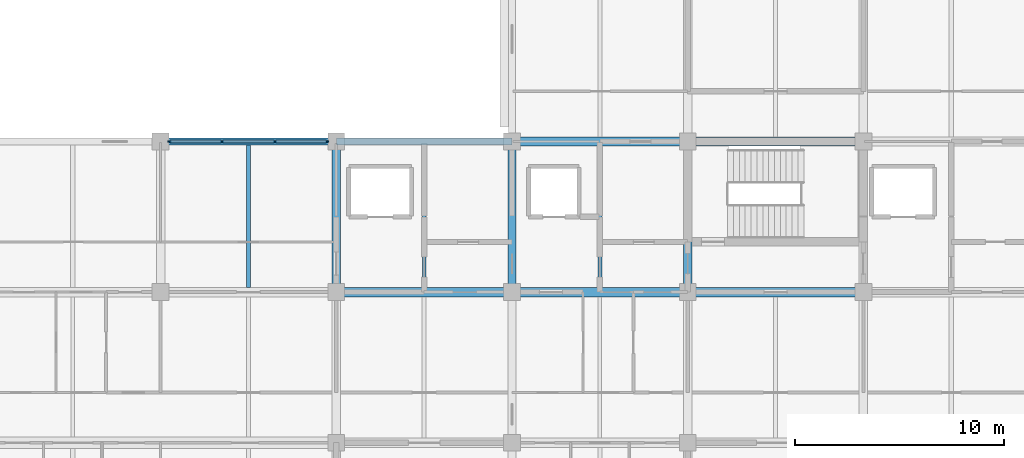
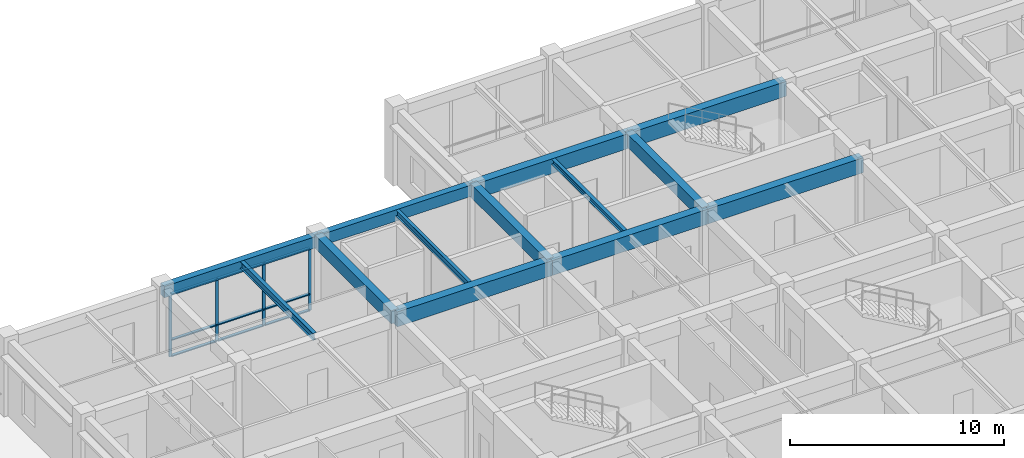
# One storey, part 9 of 40: 13 beams, 13 members, 1 element without a shape of its own.
"""IFC4 building model written with IfcOpenShell, lengths in metres."""

from ifc_helpers import new_model, si_unit, direction, frame, origin, origin_2d, place, context, subcontext, project, spatial, rectangle, i_section, extrude, material, layer, layer_set, material_profile, profile_set, type_object, element, aggregate, save


model = new_model("IFC4")

# Units and contexts
model_context = context("Model", 3, precision=1e-05, world=origin(), true_north=direction((0.0, 1.0)))
body_context = subcontext(model_context, "Body", "Model", "MODEL_VIEW")
ifc_project = project(units=[si_unit("LENGTHUNIT", "METRE"), si_unit("AREAUNIT", "SQUARE_METRE"), si_unit("VOLUMEUNIT", "CUBIC_METRE"), si_unit("PLANEANGLEUNIT", "RADIAN"), si_unit("MASSUNIT", "GRAM", prefix="KILO")], contexts=[model_context])

# Site, building, storey
site_placement = place(None, origin())
site = spatial("IfcSite", under=ifc_project, at=site_placement, CompositionType="ELEMENT")
building_placement = place(site_placement, origin())
building = spatial("IfcBuilding", under=site, at=building_placement, Name="Chengyuan Square Courthouse", CompositionType="ELEMENT")
storey_placement = place(building_placement, frame((0.0, 0.0, 21.60009765625)))
storey = spatial("IfcBuildingStorey", under=building, at=storey_placement, Name="L05", CompositionType="ELEMENT", Elevation=21.60009765625)

# Beams
ifc_material_1 = material(Name="Concrete C40", Category="concrete")
ifc_material_profile_1 = material_profile(ifc_material_1, rectangle(XDim=0.449951171875, YDim=0.85009765625, at=origin_2d()), Name="RC-BM-450x850")
ifc_profile_set_1 = profile_set([ifc_material_profile_1], Name="Concrete C40")
beam_type_1 = type_object("IfcBeamType", Name="BM-01", PredefinedType="USERDEFINED", material=ifc_profile_set_1)
beam_1_placement = place(storey_placement, frame((42.0, 100.800048828125, 3.81494140625), z_axis=(1.0, 0.0, 0.0), x_axis=(0.0, 1.0, 0.0)))
element("IfcBeam", 1, at=beam_1_placement, inside=storey, type_object=beam_type_1, Name="Girder BM-L05-3235", ObjectType="GIRDER", PredefinedType="USERDEFINED", context=body_context, shape_type="SweptSolid", body=[
    extrude(rectangle(XDim=0.449951171875, YDim=0.85009765625, at=origin_2d()), origin(), (0.0, 0.0, 1.0), 8.39990234375),
])
beam_2_placement = place(storey_placement, frame((50.39990234375, 100.800048828125, 3.81494140625), z_axis=(1.0, 0.0, 0.0), x_axis=(0.0, 1.0, 0.0)))
element("IfcBeam", 2, at=beam_2_placement, inside=storey, type_object=beam_type_1, Name="Girder BM-L05-3236", ObjectType="GIRDER", PredefinedType="USERDEFINED", context=body_context, shape_type="SweptSolid", body=[
    extrude(rectangle(XDim=0.449951171875, YDim=0.85009765625, at=origin_2d()), origin(), (0.0, 0.0, 1.0), 8.400146484375),
])
beam_3_placement = place(storey_placement, frame((58.800048828125, 100.800048828125, 3.81494140625), z_axis=(1.0, 0.0, 0.0), x_axis=(0.0, 1.0, 0.0)))
element("IfcBeam", 3, at=beam_3_placement, inside=storey, type_object=beam_type_1, Name="Girder BM-L05-3237", ObjectType="GIRDER", PredefinedType="USERDEFINED", context=body_context, shape_type="SweptSolid", body=[
    extrude(rectangle(XDim=0.449951171875, YDim=0.85009765625, at=origin_2d()), origin(), (0.0, 0.0, 1.0), 8.39990234375),
])
beam_4_placement = place(storey_placement, frame((50.39990234375, 108.0, 3.81494140625), z_axis=(1.0, 0.0, 0.0), x_axis=(0.0, 1.0, 0.0)))
element("IfcBeam", 4, at=beam_4_placement, inside=storey, type_object=beam_type_1, Name="Girder BM-L05-3250", ObjectType="GIRDER", PredefinedType="USERDEFINED", context=body_context, shape_type="SweptSolid", body=[
    extrude(rectangle(XDim=0.449951171875, YDim=0.85009765625, at=origin_2d()), origin(), (0.0, 0.0, 1.0), 8.400146484375),
])
beam_5_placement = place(storey_placement, frame((58.800048828125, 108.0, 3.81494140625), z_axis=(1.0, 0.0, 0.0), x_axis=(0.0, 1.0, 0.0)))
element("IfcBeam", 5, at=beam_5_placement, inside=storey, type_object=beam_type_1, Name="Girder BM-L05-3251", ObjectType="GIRDER", PredefinedType="USERDEFINED", context=body_context, shape_type="SweptSolid", body=[
    extrude(rectangle(XDim=0.449951171875, YDim=0.85009765625, at=origin_2d()), origin(), (0.0, 0.0, 1.0), 8.39990234375),
])
ifc_material_profile_2 = material_profile(ifc_material_1, rectangle(XDim=0.39990234375, YDim=0.75, at=origin_2d()), Name="RC-BM-400x750")
ifc_profile_set_2 = profile_set([ifc_material_profile_2], Name="Concrete C40")
beam_type_2 = type_object("IfcBeamType", Name="BM-02", PredefinedType="USERDEFINED", material=ifc_profile_set_2)
for number, where, z_axis, x_axis, name in (
    (6, (42.0, 100.800048828125, 3.864990234375), (0.0, 1.0, 0.0), (-1.0, 0.0, 0.0), "Girder BM-L05-3277"),
    (7, (50.39990234375, 100.800048828125, 3.864990234375), (0.0, 1.0, 0.0), (-1.0, 0.0, 0.0), "Girder BM-L05-3281"),
    (8, (58.800048828125, 100.800048828125, 3.864990234375), (0.0, 1.0, 0.0), (-1.0, 0.0, 0.0), "Girder BM-L05-3286"),
):
    element("IfcBeam", number, at=place(storey_placement, frame(where, z_axis=z_axis, x_axis=x_axis)), inside=storey, type_object=beam_type_2, Name=name, ObjectType="GIRDER", PredefinedType="USERDEFINED", context=body_context, shape_type="SweptSolid", body=[
        extrude(rectangle(XDim=0.39990234375, YDim=0.75, at=origin_2d()), origin(), (0.0, 0.0, 1.0), 7.199951171875),
    ])
ifc_material_profile_3 = material_profile(ifc_material_1, rectangle(XDim=0.35009765625, YDim=0.64990234375, at=origin_2d()), Name="RC-BM-350x650")
ifc_profile_set_3 = profile_set([ifc_material_profile_3], Name="Concrete C40")
beam_type_3 = type_object("IfcBeamType", Name="BM-03", PredefinedType="SPANDREL", material=ifc_profile_set_3)
for number, where, z_axis, x_axis, name in (
    (9, (33.60009765625, 108.0, 3.914794921875), (1.0, 0.0, 0.0), (0.0, 1.0, 0.0), "Girder BM-L05-3248"),
    (10, (42.0, 108.0, 3.914794921875), (1.0, 0.0, 0.0), (0.0, 1.0, 0.0), "Girder BM-L05-3249"),
):
    element("IfcBeam", number, at=place(storey_placement, frame(where, z_axis=z_axis, x_axis=x_axis)), inside=storey, type_object=beam_type_3, Name=name, PredefinedType="SPANDREL", context=body_context, shape_type="SweptSolid", body=[
        extrude(rectangle(XDim=0.35009765625, YDim=0.64990234375, at=origin_2d()), origin(), (0.0, 0.0, 1.0), 8.39990234375),
    ])
ifc_material_2 = material(Name="Steel Q355B", Category="steel")
ifc_material_profile_4 = material_profile(ifc_material_2, i_section(OverallWidth=0.199951171875, OverallDepth=0.39990234375, WebThickness=0.008056640625, FlangeThickness=0.012939453125, at=origin_2d()), Name="HN 400x200x8x13")
ifc_profile_set_4 = profile_set([ifc_material_profile_4], Name="Steel Q355B")
beam_type_4 = type_object("IfcBeamType", Name="BM-07", PredefinedType="BEAM", material=ifc_profile_set_4)
beam_6_placement = place(storey_placement, frame((37.800048828125, 101.02490234375, 4.039794921875), z_axis=(0.0, 1.0, 0.0), x_axis=(-1.0, 0.0, 0.0)))
element("IfcBeam", 11, at=beam_6_placement, inside=storey, type_object=beam_type_4, Name="Secondary Floor Beam SBM-L05-3339", PredefinedType="BEAM", context=body_context, shape_type="SweptSolid", body=[
    extrude(i_section(OverallWidth=0.199951171875, OverallDepth=0.39990234375, WebThickness=0.008056640625, FlangeThickness=0.012939453125, at=origin_2d()), origin(), (0.0, 0.0, 1.0), 6.800048828125),
])
ifc_material_profile_5 = material_profile(ifc_material_2, i_section(OverallWidth=0.175048828125, OverallDepth=0.35009765625, WebThickness=0.007080078125, FlangeThickness=0.010986328125, at=origin_2d()), Name="HN 350x175x7x11")
ifc_profile_set_5 = profile_set([ifc_material_profile_5], Name="Steel Q355B")
beam_type_5 = type_object("IfcBeamType", Name="BM-08", PredefinedType="BEAM", material=ifc_profile_set_5)
beam_7_placement = place(storey_placement, frame((46.199951171875, 101.02490234375, 4.06494140625), z_axis=(0.0, 1.0, 0.0), x_axis=(-1.0, 0.0, 0.0)))
element("IfcBeam", 12, at=beam_7_placement, inside=storey, type_object=beam_type_5, Name="Secondary Floor Beam SBM-L05-3342", PredefinedType="BEAM", context=body_context, shape_type="SweptSolid", body=[
    extrude(i_section(OverallWidth=0.175048828125, OverallDepth=0.35009765625, WebThickness=0.007080078125, FlangeThickness=0.010986328125, at=origin_2d()), origin(), (0.0, 0.0, 1.0), 6.800048828125),
])
ifc_material_profile_6 = material_profile(ifc_material_2, i_section(OverallWidth=0.199951171875, OverallDepth=0.300048828125, WebThickness=0.008056640625, FlangeThickness=0.011962890625, at=origin_2d()), Name="HM 300x200x8x12")
ifc_profile_set_6 = profile_set([ifc_material_profile_6], Name="Steel Q355B")
beam_type_6 = type_object("IfcBeamType", Name="BM-09", PredefinedType="BEAM", material=ifc_profile_set_6)
beam_8_placement = place(storey_placement, frame((54.60009765625, 101.02490234375, 4.08984375), z_axis=(0.0, 1.0, 0.0), x_axis=(-1.0, 0.0, 0.0)))
element("IfcBeam", 13, at=beam_8_placement, inside=storey, type_object=beam_type_6, Name="Secondary Floor Beam SBM-L05-3346", PredefinedType="BEAM", context=body_context, shape_type="SweptSolid", body=[
    extrude(i_section(OverallWidth=0.199951171875, OverallDepth=0.300048828125, WebThickness=0.008056640625, FlangeThickness=0.011962890625, at=origin_2d()), origin(), (0.0, 0.0, 1.0), 6.75),
])

# Curtain wall, members
ifc_material_3 = material(Name="Unitised Aluminium and Triple Low-E Glass", Category="aluminium")
ifc_layer = layer(ifc_material_3, 0.159912109375)
ifc_layer_set = layer_set([ifc_layer], Name="Unitised Aluminium and Triple Low-E Glass")
curtain_wall_type = type_object("IfcCurtainWallType", Name="CW-13", PredefinedType="USERDEFINED", material=ifc_layer_set)
curtain_wall_placement = place(storey_placement, origin())
curtain_wall = element("IfcCurtainWall", 14, at=curtain_wall_placement, inside=storey, type_object=curtain_wall_type, Name="Unitised Curtain Wall CW-L05-166", ObjectType="UNITISED CURTAIN WALL", PredefinedType="USERDEFINED")
ifc_material_4 = material(Name="Aluminium 6063-T6 Frame", Category="aluminium")
ifc_material_profile_7 = material_profile(ifc_material_4, rectangle(XDim=0.06005859375, YDim=0.159912109375, at=origin_2d()), Name="CW-MUL-60x160")
ifc_profile_set_7 = profile_set([ifc_material_profile_7], Name="Aluminium 6063-T6 Frame")
member_type_1 = type_object("IfcMemberType", Name="CWM-01", PredefinedType="MULLION", material=ifc_profile_set_7)
member_1_placement = place(storey_placement, frame((34.030029296875, 108.0, 0.0), z_axis=(0.0, 0.0, 1.0), x_axis=(0.0, 1.0, 0.0)))
member_1 = element("IfcMember", 15, at=member_1_placement, type_object=member_type_1, Name="CW-13 mullion 1", PredefinedType="MULLION", context=body_context, shape_type="SweptSolid", body=[
    extrude(rectangle(XDim=0.06005859375, YDim=0.159912109375, at=origin_2d()), origin(), (0.0, 0.0, 1.0), 3.58984375),
])
member_2_placement = place(storey_placement, frame((36.533447265625, 108.0, 0.0), z_axis=(0.0, 0.0, 1.0), x_axis=(0.0, 1.0, 0.0)))
member_2 = element("IfcMember", 16, at=member_2_placement, type_object=member_type_1, Name="CW-13 mullion 2", PredefinedType="MULLION", context=body_context, shape_type="SweptSolid", body=[
    extrude(rectangle(XDim=0.06005859375, YDim=0.159912109375, at=origin_2d()), origin(), (0.0, 0.0, 1.0), 3.58984375),
])
member_3_placement = place(storey_placement, frame((39.066650390625, 108.0, 0.0), z_axis=(0.0, 0.0, 1.0), x_axis=(0.0, 1.0, 0.0)))
member_3 = element("IfcMember", 17, at=member_3_placement, type_object=member_type_1, Name="CW-13 mullion 3", PredefinedType="MULLION", context=body_context, shape_type="SweptSolid", body=[
    extrude(rectangle(XDim=0.06005859375, YDim=0.159912109375, at=origin_2d()), origin(), (0.0, 0.0, 1.0), 3.58984375),
])
member_4_placement = place(storey_placement, frame((41.570068359375, 108.0, 0.0), z_axis=(0.0, 0.0, 1.0), x_axis=(0.0, 1.0, 0.0)))
member_4 = element("IfcMember", 18, at=member_4_placement, type_object=member_type_1, Name="CW-13 mullion 4", PredefinedType="MULLION", context=body_context, shape_type="SweptSolid", body=[
    extrude(rectangle(XDim=0.06005859375, YDim=0.159912109375, at=origin_2d()), origin(), (0.0, 0.0, 1.0), 3.58984375),
])
ifc_material_profile_8 = material_profile(ifc_material_4, rectangle(XDim=0.159912109375, YDim=0.06005859375, at=origin_2d()), Name="CW-TRN-60x120")
ifc_profile_set_8 = profile_set([ifc_material_profile_8], Name="Aluminium 6063-T6 Frame")
member_type_2 = type_object("IfcMemberType", Name="CWT-01", PredefinedType="USERDEFINED", material=ifc_profile_set_8)
member_5_placement = place(storey_placement, frame((34.06005859375, 108.0, 0.02978515625), z_axis=(1.0, 0.0, 0.0), x_axis=(0.0, 1.0, 0.0)))
member_5 = element("IfcMember", 19, at=member_5_placement, type_object=member_type_2, Name="CW-13 transom 1.1", ObjectType="TRANSOM", PredefinedType="USERDEFINED", context=body_context, shape_type="SweptSolid", body=[
    extrude(rectangle(XDim=0.159912109375, YDim=0.06005859375, at=origin_2d()), origin(), (0.0, 0.0, 1.0), 2.443359375),
])
member_6_placement = place(storey_placement, frame((34.06005859375, 108.0, 0.949951171875), z_axis=(1.0, 0.0, 0.0), x_axis=(0.0, 1.0, 0.0)))
member_6 = element("IfcMember", 20, at=member_6_placement, type_object=member_type_2, Name="CW-13 transom 1.2", ObjectType="TRANSOM", PredefinedType="USERDEFINED", context=body_context, shape_type="SweptSolid", body=[
    extrude(rectangle(XDim=0.159912109375, YDim=0.06005859375, at=origin_2d()), origin(), (0.0, 0.0, 1.0), 2.443359375),
])
member_7_placement = place(storey_placement, frame((34.06005859375, 108.0, 3.559814453125), z_axis=(1.0, 0.0, 0.0), x_axis=(0.0, 1.0, 0.0)))
member_7 = element("IfcMember", 21, at=member_7_placement, type_object=member_type_2, Name="CW-13 transom 1.3", ObjectType="TRANSOM", PredefinedType="USERDEFINED", context=body_context, shape_type="SweptSolid", body=[
    extrude(rectangle(XDim=0.159912109375, YDim=0.06005859375, at=origin_2d()), origin(), (0.0, 0.0, 1.0), 2.443359375),
])
member_8_placement = place(storey_placement, frame((36.563232421875, 108.0, 0.02978515625), z_axis=(1.0, 0.0, 0.0), x_axis=(0.0, 1.0, 0.0)))
member_8 = element("IfcMember", 22, at=member_8_placement, type_object=member_type_2, Name="CW-13 transom 2.1", ObjectType="TRANSOM", PredefinedType="USERDEFINED", context=body_context, shape_type="SweptSolid", body=[
    extrude(rectangle(XDim=0.159912109375, YDim=0.06005859375, at=origin_2d()), origin(), (0.0, 0.0, 1.0), 2.473388671875),
])
member_9_placement = place(storey_placement, frame((36.563232421875, 108.0, 0.949951171875), z_axis=(1.0, 0.0, 0.0), x_axis=(0.0, 1.0, 0.0)))
member_9 = element("IfcMember", 23, at=member_9_placement, type_object=member_type_2, Name="CW-13 transom 2.2", ObjectType="TRANSOM", PredefinedType="USERDEFINED", context=body_context, shape_type="SweptSolid", body=[
    extrude(rectangle(XDim=0.159912109375, YDim=0.06005859375, at=origin_2d()), origin(), (0.0, 0.0, 1.0), 2.473388671875),
])
member_10_placement = place(storey_placement, frame((36.563232421875, 108.0, 3.559814453125), z_axis=(1.0, 0.0, 0.0), x_axis=(0.0, 1.0, 0.0)))
member_10 = element("IfcMember", 24, at=member_10_placement, type_object=member_type_2, Name="CW-13 transom 2.3", ObjectType="TRANSOM", PredefinedType="USERDEFINED", context=body_context, shape_type="SweptSolid", body=[
    extrude(rectangle(XDim=0.159912109375, YDim=0.06005859375, at=origin_2d()), origin(), (0.0, 0.0, 1.0), 2.473388671875),
])
member_11_placement = place(storey_placement, frame((39.0966796875, 108.0, 0.02978515625), z_axis=(1.0, 0.0, 0.0), x_axis=(0.0, 1.0, 0.0)))
member_11 = element("IfcMember", 25, at=member_11_placement, type_object=member_type_2, Name="CW-13 transom 3.1", ObjectType="TRANSOM", PredefinedType="USERDEFINED", context=body_context, shape_type="SweptSolid", body=[
    extrude(rectangle(XDim=0.159912109375, YDim=0.06005859375, at=origin_2d()), origin(), (0.0, 0.0, 1.0), 2.443359375),
])
member_12_placement = place(storey_placement, frame((39.0966796875, 108.0, 0.949951171875), z_axis=(1.0, 0.0, 0.0), x_axis=(0.0, 1.0, 0.0)))
member_12 = element("IfcMember", 26, at=member_12_placement, type_object=member_type_2, Name="CW-13 transom 3.2", ObjectType="TRANSOM", PredefinedType="USERDEFINED", context=body_context, shape_type="SweptSolid", body=[
    extrude(rectangle(XDim=0.159912109375, YDim=0.06005859375, at=origin_2d()), origin(), (0.0, 0.0, 1.0), 2.443359375),
])
member_13_placement = place(storey_placement, frame((39.0966796875, 108.0, 3.559814453125), z_axis=(1.0, 0.0, 0.0), x_axis=(0.0, 1.0, 0.0)))
member_13 = element("IfcMember", 27, at=member_13_placement, type_object=member_type_2, Name="CW-13 transom 3.3", ObjectType="TRANSOM", PredefinedType="USERDEFINED", context=body_context, shape_type="SweptSolid", body=[
    extrude(rectangle(XDim=0.159912109375, YDim=0.06005859375, at=origin_2d()), origin(), (0.0, 0.0, 1.0), 2.443359375),
])
aggregate(curtain_wall, [member_1, member_2, member_3, member_4, member_5, member_6, member_7, member_8, member_9, member_10, member_11, member_12, member_13])

save(model, "model.ifc")
